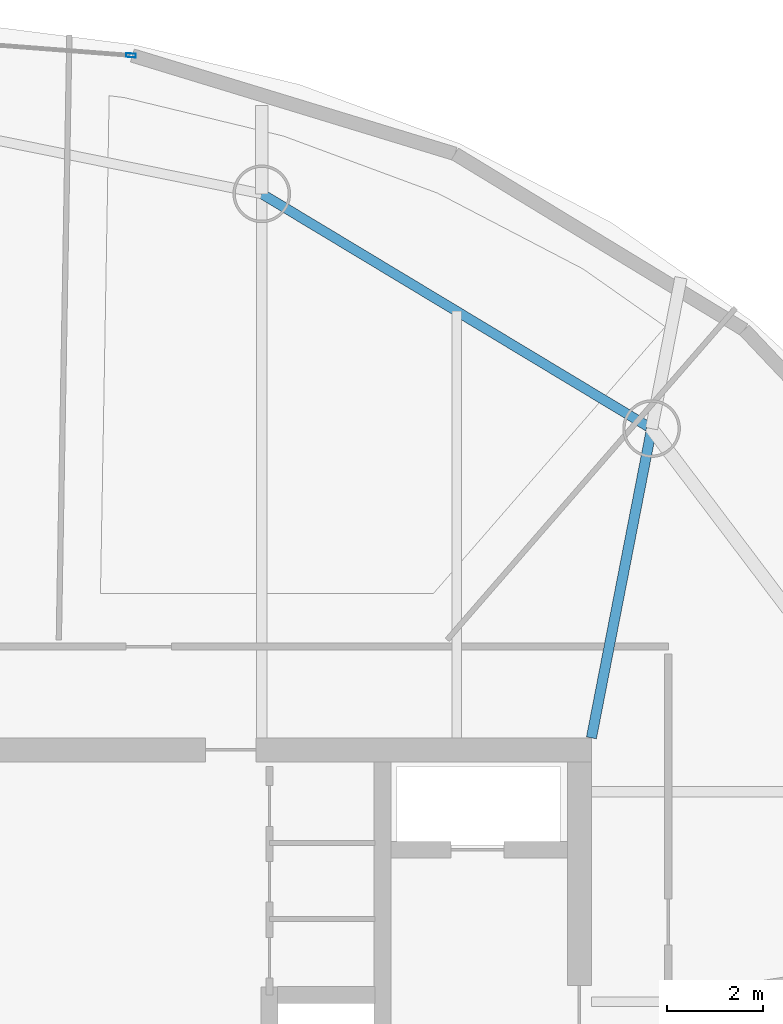
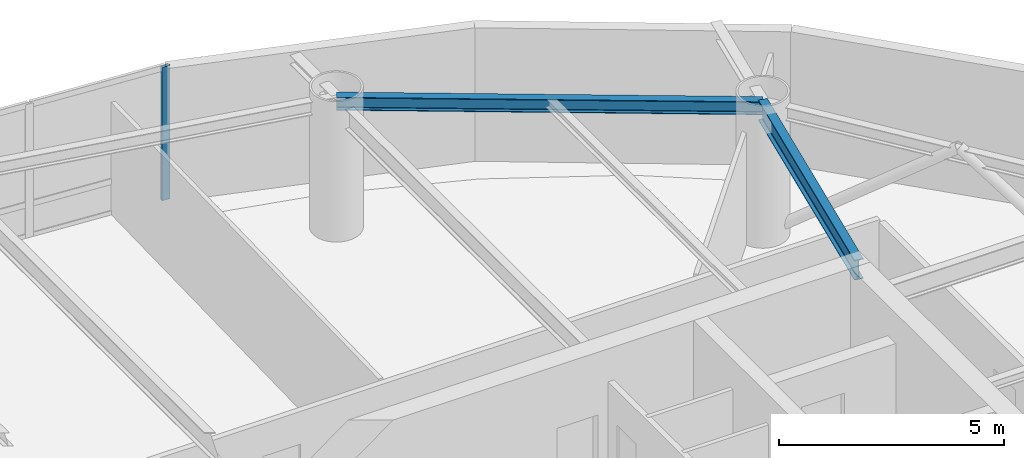
# One storey, part 14 of 21: 2 beams, 1 member, 1 element without a shape of its own.
"""IFC4 building model written with IfcOpenShell, lengths in metres."""

import ifcopenshell
import ifcopenshell.guid

model = None  # the IFC model being written
_history = None  # IfcOwnerHistory: only IFC2X3 demands one
_inside = {}  # id of a spatial element -> (the spatial element, [elements in it])
_under = {}  # id of a project, library or spatial element -> (it, [spatial elements below it])
_declared = {}  # id of a project -> (the project, [libraries it declares])
_typed = {}  # id of a type object -> (the type object, [elements of that type])
_made_of = {}  # id of a material, layer set ... -> (it, [elements and type objects made of it])


def new_model(schema):
    """Start an empty IFC model of exactly this schema.

    Asked for "IFC4X3", IfcOpenShell would pick the latest addendum, in which some entities
    have other attributes; the version numbers below select the first issue.
    IFC2X3 requires an IfcOwnerHistory on every rooted entity: one is made here for all.
    """
    global model, _history
    if schema == "IFC4X3":
        model = ifcopenshell.file(schema_version=(4, 3, 0, 0))
    else:
        model = ifcopenshell.file(schema=schema)
    _inside.clear()
    _under.clear()
    _declared.clear()
    _typed.clear()
    _made_of.clear()
    _history = None
    if model.schema == "IFC2X3":
        org = make("IfcOrganization", Name="unknown")
        user = make(
            "IfcPersonAndOrganization",
            ThePerson=make("IfcPerson", FamilyName="unknown"),
            TheOrganization=org,
        )
        app = make(
            "IfcApplication",
            ApplicationDeveloper=org,
            Version="unknown",
            ApplicationFullName="unknown",
            ApplicationIdentifier="unknown",
        )
        _history = make(
            "IfcOwnerHistory",
            OwningUser=user,
            OwningApplication=app,
            ChangeAction="ADDED",
            CreationDate=0,
        )
    return model


def make(cls, **values):
    """One entity of the class cls with the attributes given. An attribute that is None is left unset."""
    return model.create_entity(
        cls, **{name: value for name, value in values.items() if value is not None}
    )


def rooted(cls, **values):
    """An entity with a GlobalId (a new one), such as an element, a storey or a relation."""
    return make(cls, GlobalId=ifcopenshell.guid.new(), OwnerHistory=_history, **values)


def si_unit(unit_type, name, prefix=None):
    """IfcSIUnit, for example si_unit("LENGTHUNIT", "METRE", prefix="MILLI")."""
    return make("IfcSIUnit", UnitType=unit_type, Prefix=prefix, Name=name)


def assignment(units):
    """IfcUnitAssignment: the units of a project."""
    return None if units is None else make("IfcUnitAssignment", Units=units)


def point(xyz):
    """IfcCartesianPoint."""
    return None if xyz is None else make("IfcCartesianPoint", Coordinates=xyz)


def direction(xyz):
    """IfcDirection."""
    return None if xyz is None else make("IfcDirection", DirectionRatios=xyz)


def frame(location, z_axis=None, x_axis=None):
    """IfcAxis2Placement3D, a coordinate frame: its origin and axes. An axis left out is left unset."""
    return make(
        "IfcAxis2Placement3D",
        Location=point(location),
        Axis=direction(z_axis),
        RefDirection=direction(x_axis),
    )


def frame_2d(location, x_axis=None):
    """IfcAxis2Placement2D, a coordinate frame in the plane: its origin and x axis."""
    return make(
        "IfcAxis2Placement2D", Location=point(location), RefDirection=direction(x_axis)
    )


def origin():
    """The frame at (0, 0, 0) with its axes left unset."""
    return frame((0.0, 0.0, 0.0))


def origin_2d():
    """The frame at (0, 0) in the plane with its x axis left unset."""
    return frame_2d((0.0, 0.0))


def place(relative_to, where):
    """IfcLocalPlacement: puts the frame where relative to a parent placement (None: the world)."""
    return make(
        "IfcLocalPlacement", PlacementRelTo=relative_to, RelativePlacement=where
    )


def context(
    kind, dimensions, precision=None, world=None, true_north=None, identifier=None
):
    """IfcGeometricRepresentationContext, for example the 3D "Model" context."""
    return make(
        "IfcGeometricRepresentationContext",
        ContextIdentifier=identifier,
        ContextType=kind,
        CoordinateSpaceDimension=dimensions,
        Precision=precision,
        WorldCoordinateSystem=world,
        TrueNorth=true_north,
    )


def subcontext(parent, identifier, kind, view, scale=None):
    """IfcGeometricRepresentationSubContext, for example "Body" below "Model"."""
    return make(
        "IfcGeometricRepresentationSubContext",
        ContextIdentifier=identifier,
        ContextType=kind,
        ParentContext=parent,
        TargetScale=scale,
        TargetView=view,
    )


def project(units=None, contexts=None):
    """IfcProject with its units and contexts."""
    return rooted(
        "IfcProject",
        Name="project",
        RepresentationContexts=contexts,
        UnitsInContext=assignment(units),
    )


def spatial(cls, under=None, at=None, **own):
    """A site, building, storey or space (cls), placed at a placement, below another one or the project."""
    s = rooted(cls, ObjectPlacement=at, **own)
    if under is not None:
        _under.setdefault(under.id(), (under, []))[1].append(s)
    return s


def profile(cls, at=None, kind="AREA", **sizes):
    """A parametric profile (cls). Its sizes go by their IFC names, for example OverallWidth=200.0."""
    return make(cls, ProfileType=kind, Position=at, **sizes)


def hollow_rectangle(**sizes):
    """IfcRectangleHollowProfileDef."""
    return profile("IfcRectangleHollowProfileDef", **sizes)


def i_section(**sizes):
    """IfcIShapeProfileDef."""
    return profile("IfcIShapeProfileDef", **sizes)


def extrude(swept, where, along, depth):
    """IfcExtrudedAreaSolid: the profile swept, set in the frame where, extruded along a direction by depth."""
    return make(
        "IfcExtrudedAreaSolid",
        SweptArea=swept,
        Position=where,
        ExtrudedDirection=direction(along),
        Depth=depth,
    )


def shape(context_of_items, identifier, shape_type, items):
    """IfcShapeRepresentation: the items that make up one representation, for example the "Body"."""
    return make(
        "IfcShapeRepresentation",
        ContextOfItems=context_of_items,
        RepresentationIdentifier=identifier,
        RepresentationType=shape_type,
        Items=items,
    )


def material(Name=None, Category=None):
    """IfcMaterial."""
    return make("IfcMaterial", Name=Name, Category=Category)


def layer(
    of_material, thickness, ventilated=None, Name=None, Category=None, Priority=None
):
    """IfcMaterialLayer: one layer of a wall or slab, of a material (None: an air gap)."""
    return make(
        "IfcMaterialLayer",
        Material=of_material,
        LayerThickness=thickness,
        IsVentilated=ventilated,
        Name=Name,
        Category=Category,
        Priority=Priority,
    )


def layer_set(layers, Name=None):
    """IfcMaterialLayerSet."""
    return make("IfcMaterialLayerSet", MaterialLayers=layers, LayerSetName=Name)


def material_profile(
    of_material, cross_section, Name=None, Category=None, Priority=None
):
    """IfcMaterialProfile: a cross section and its material."""
    return make(
        "IfcMaterialProfile",
        Name=Name,
        Material=of_material,
        Profile=cross_section,
        Priority=Priority,
        Category=Category,
    )


def profile_set(profiles, Name=None, composite=None):
    """IfcMaterialProfileSet."""
    return make(
        "IfcMaterialProfileSet",
        Name=Name,
        MaterialProfiles=profiles,
        CompositeProfile=composite,
    )


def made_of(thing, what):
    """Note that an element or type object is made of a material, layer set ...; save() writes the relation."""
    if what is not None:
        _made_of.setdefault(what.id(), (what, []))[1].append(thing)
    return thing


def type_object(cls, material=None, **own):
    """A type object (cls), such as IfcWallType, which elements share."""
    return made_of(rooted(cls, **own), material)


def element(
    cls,
    number,
    at=None,
    inside=None,
    cuts=None,
    type_object=None,
    material=None,
    context=None,
    identifier="Body",
    shape_type=None,
    held_by="IfcProductDefinitionShape",
    body=None,
    shapes=None,
    **own,
):
    """One element of the class cls, such as IfcWall. Its Tag is "e" and its number.

    at: its placement. inside: the storey or other place that contains it. cuts: it is an
    opening in that element (IfcRelVoidsElement). A single representation is given by context,
    identifier, shape_type and body (its items); several are given by shapes. held_by: the class
    of the entity that holds the representations. save() writes the other relations.
    """
    e = rooted(cls, Tag="e%d" % number, ObjectPlacement=at, **own)
    if body is not None:
        shapes = [shape(context, identifier, shape_type, body)]
    if shapes is not None:
        e.Representation = make(held_by, Representations=shapes)
    if inside is not None:
        _inside.setdefault(inside.id(), (inside, []))[1].append(e)
    if cuts is not None:
        rooted(
            "IfcRelVoidsElement", RelatingBuildingElement=cuts, RelatedOpeningElement=e
        )
    if type_object is not None:
        _typed.setdefault(type_object.id(), (type_object, []))[1].append(e)
    return made_of(e, material)


def aggregate(whole, parts):
    """IfcRelAggregates: a whole, such as a stair, and the parts it consists of."""
    return rooted("IfcRelAggregates", RelatingObject=whole, RelatedObjects=parts)


def save(model, path):
    """Write the relations noted so far, then the file.

    IfcRelAggregates (storeys below a building ...), IfcRelContainedInSpatialStructure (elements
    in a storey), IfcRelDefinesByType, IfcRelAssociatesMaterial and IfcRelDeclares: one each for
    every whole, place, type object, material and project.
    """
    for whole, parts in _under.values():
        aggregate(whole, parts)
    for where, things in _inside.values():
        rooted(
            "IfcRelContainedInSpatialStructure",
            RelatedElements=things,
            RelatingStructure=where,
        )
    for kind, things in _typed.values():
        rooted("IfcRelDefinesByType", RelatedObjects=things, RelatingType=kind)
    for what, things in _made_of.values():
        rooted("IfcRelAssociatesMaterial", RelatedObjects=things, RelatingMaterial=what)
    for by, libraries in _declared.values():
        rooted("IfcRelDeclares", RelatingContext=by, RelatedDefinitions=libraries)
    model.write(path)


model = new_model("IFC4")

# Units and contexts
model_context = context("Model", 3, precision=1e-05, world=origin(), true_north=direction((0.0, 1.0)))
body_context = subcontext(model_context, "Body", "Model", "MODEL_VIEW")
ifc_project = project(units=[si_unit("LENGTHUNIT", "METRE"), si_unit("AREAUNIT", "SQUARE_METRE"), si_unit("VOLUMEUNIT", "CUBIC_METRE"), si_unit("PLANEANGLEUNIT", "RADIAN"), si_unit("MASSUNIT", "GRAM", prefix="KILO")], contexts=[model_context])

# Site, building, storey
site_placement = place(None, origin())
site = spatial("IfcSite", under=ifc_project, at=site_placement, CompositionType="ELEMENT")
building_placement = place(site_placement, origin())
building = spatial("IfcBuilding", under=site, at=building_placement, Name="Bramvorn Convention Spire", CompositionType="ELEMENT")
storey_placement = place(building_placement, frame((0.0, 0.0, 186.60009765625)))
storey = spatial("IfcBuildingStorey", under=building, at=storey_placement, Name="L47", CompositionType="ELEMENT", Elevation=186.60009765625)

# Beams
ifc_material_1 = material(Name="Steel CSA G40.21 Grade 350 (350W)", Category="steel")
ifc_material_profile_1 = material_profile(ifc_material_1, i_section(OverallWidth=0.205078125, OverallDepth=0.35400390625, WebThickness=0.009521484375, FlangeThickness=0.016845703125, FilletRadius=0.014892578125, at=origin_2d()))
ifc_profile_set_1 = profile_set([ifc_material_profile_1], Name="Steel CSA G40.21 Grade 350 (350W) - W360X79")
beam_type_1 = type_object("IfcBeamType", Name="BM-W360X79", PredefinedType="JOIST", material=ifc_profile_set_1)
beam_1_placement = place(storey_placement, frame((50.501953125, 39.885009765625, 3.44287109375), z_axis=(-0.856581795745, 0.516011266543, 0.0), x_axis=(-0.516011266543, -0.856581795745, 0.0)))
element("IfcBeam", 1, at=beam_1_placement, inside=storey, type_object=beam_type_1, Name="L47 mega-column ring beam 05", PredefinedType="JOIST", context=body_context, shape_type="SweptSolid", body=[
    extrude(i_section(OverallWidth=0.205078125, OverallDepth=0.35400390625, WebThickness=0.009521484375, FlangeThickness=0.016845703125, FilletRadius=0.014892578125, at=origin_2d()), origin(), (0.0, 0.0, 1.0), 9.47119140625),
])
ifc_material_profile_2 = material_profile(ifc_material_1, i_section(OverallWidth=0.2119140625, OverallDepth=0.5439453125, WebThickness=0.01318359375, FlangeThickness=0.021240234375, FilletRadius=0.01904296875, at=origin_2d()))
ifc_profile_set_2 = profile_set([ifc_material_profile_2], Name="Steel CSA G40.21 Grade 350 (350W) - W530X123")
beam_type_2 = type_object("IfcBeamType", Name="BM-W530X123", PredefinedType="BEAM", material=ifc_profile_set_2)
beam_2_placement = place(storey_placement, frame((49.25, 33.449951171875, 3.347900390625), z_axis=(0.190971329886, 0.981595614885, 0.0), x_axis=(-0.981595614885, 0.190971329886, 0.0)))
element("IfcBeam", 2, at=beam_2_placement, inside=storey, type_object=beam_type_2, Name="L47 radial floor girder MC05", PredefinedType="BEAM", context=body_context, shape_type="SweptSolid", body=[
    extrude(i_section(OverallWidth=0.2119140625, OverallDepth=0.5439453125, WebThickness=0.01318359375, FlangeThickness=0.021240234375, FilletRadius=0.01904296875, at=origin_2d()), origin(), (0.0, 0.0, 1.0), 6.5556640625),
])

# Curtain wall, member
ifc_material_2 = material(Name="Anodised Bronze Unitised Curtain Wall", Category="aluminium")
ifc_layer = layer(ifc_material_2, 0.179931640625)
ifc_layer_set = layer_set([ifc_layer], Name="Anodised Bronze Unitised Curtain Wall - CW-OFF-FRIT")
curtain_wall_type = type_object("IfcCurtainWallType", Name="CW-OFF-FRIT", PredefinedType="USERDEFINED", material=ifc_layer_set)
curtain_wall_placement = place(storey_placement, origin())
curtain_wall = element("IfcCurtainWall", 3, at=curtain_wall_placement, inside=storey, type_object=curtain_wall_type, Name="L47 fritted glass curtain wall 09", ObjectType="UNITISED CURTAIN WALL", PredefinedType="USERDEFINED")
ifc_material_3 = material(Name="Anodised Bronze Aluminium 6063-T6", Category="aluminium")
ifc_material_profile_3 = material_profile(ifc_material_3, hollow_rectangle(XDim=0.080078125, YDim=0.199951171875, WallThickness=0.00390625, InnerFilletRadius=0.0009765625, OuterFilletRadius=0.00390625, at=origin_2d()))
ifc_profile_set_3 = profile_set([ifc_material_profile_3], Name="Anodised Bronze Aluminium 6063-T6 - CWM80X200")
member_type = type_object("IfcMemberType", Name="CW-MUL-180", PredefinedType="MULLION", material=ifc_profile_set_3)
member_placement = place(storey_placement, frame((39.668212890625, 47.653076171875, 0.0), z_axis=(0.0, 0.0, 1.0), x_axis=(0.076675083187, 0.997056132632, 0.0)))
member = element("IfcMember", 4, at=member_placement, type_object=member_type, Name="CW3 mullion 3", PredefinedType="MULLION", context=body_context, shape_type="SweptSolid", body=[
    extrude(hollow_rectangle(XDim=0.080078125, YDim=0.199951171875, WallThickness=0.00390625, InnerFilletRadius=0.0009765625, OuterFilletRadius=0.00390625, at=origin_2d()), origin(), (0.0, 0.0, 1.0), 3.619873046875),
])
aggregate(curtain_wall, [member])

save(model, "model.ifc")
